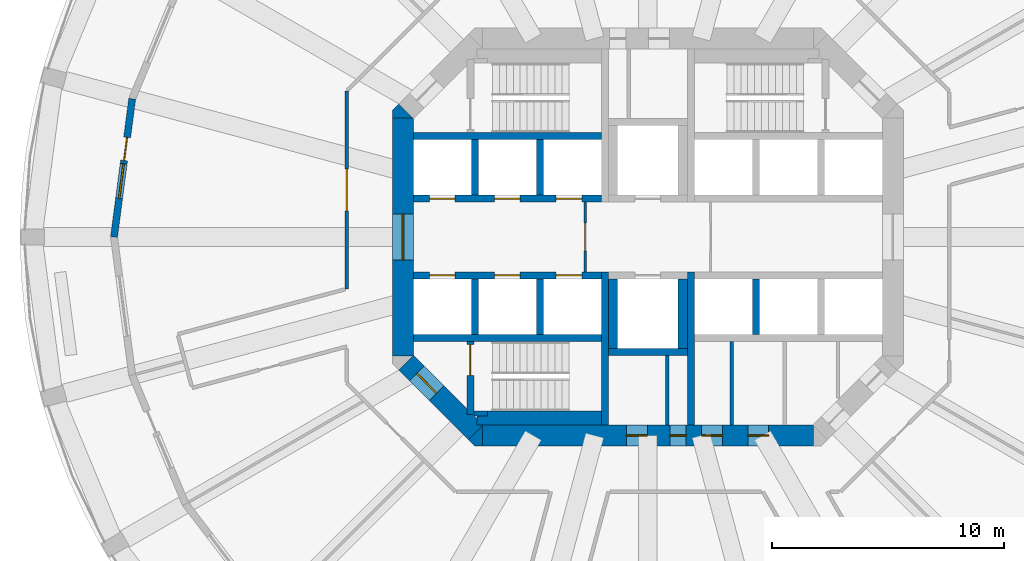
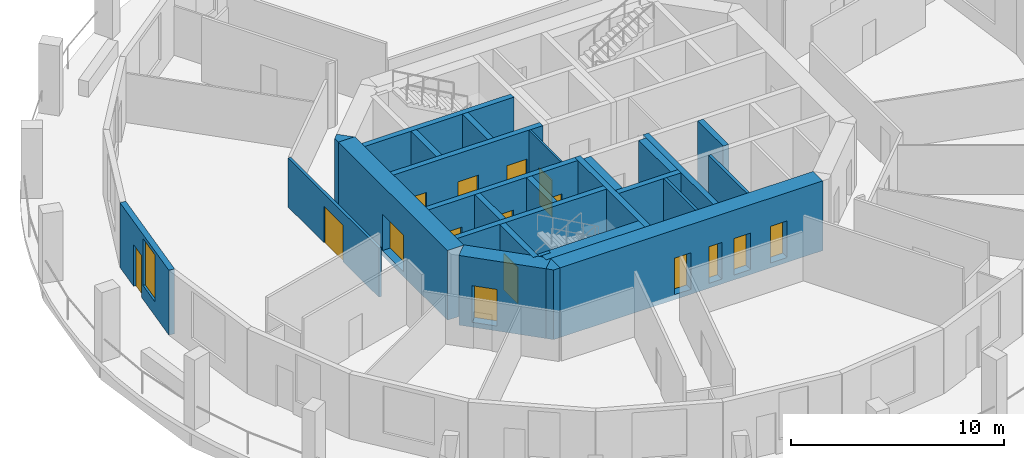
# One storey, part 3 of 9: 27 walls, 16 doors, 1 window, 17 openings.
"""IFC4 building model written with IfcOpenShell, lengths in metres."""

from ifc_helpers import new_model, si_unit, direction, frame, frame_2d, origin, place, context, subcontext, project, spatial, polyline, rectangle, outline, extrude, material, layer, layer_set, type_object, element, fill, save


model = new_model("IFC4")

# Units and contexts
model_context = context("Model", 3, precision=1e-05, world=origin(), true_north=direction((0.0, 1.0)))
body_context = subcontext(model_context, "Body", "Model", "MODEL_VIEW")
ifc_project = project(units=[si_unit("LENGTHUNIT", "METRE"), si_unit("AREAUNIT", "SQUARE_METRE"), si_unit("VOLUMEUNIT", "CUBIC_METRE"), si_unit("PLANEANGLEUNIT", "RADIAN"), si_unit("MASSUNIT", "GRAM", prefix="KILO")], contexts=[model_context])

# Site, building, storey
site_placement = place(None, origin())
site = spatial("IfcSite", under=ifc_project, at=site_placement, CompositionType="ELEMENT")
building_placement = place(site_placement, origin())
building = spatial("IfcBuilding", under=site, at=building_placement, Name="Torre Triforio", CompositionType="ELEMENT")
storey_placement = place(building_placement, frame((0.0, 0.0, 67.0)))
storey = spatial("IfcBuildingStorey", under=building, at=storey_placement, Name="L14", CompositionType="ELEMENT", Elevation=67.0)

# Walls
ifc_material_1 = material(Name="Concrete C60", Category="concrete")
ifc_layer_1 = layer(ifc_material_1, 0.300048828125)
ifc_layer_set_1 = layer_set([ifc_layer_1], Name="Concrete C60")
wall_type_1 = type_object("IfcWallType", Name="Core wall 300 mm C60 EI 120", PredefinedType="SHEAR", material=ifc_layer_set_1)
for number, where, z_axis, x_axis, name in (
    (1, (-1.85009765625, -8.10009765625, 0.0), (0.0, 0.0, 1.0), (0.0, 1.0, 0.0), "Core wall"),
    (2, (1.85009765625, -8.10009765625, 0.0), (0.0, 0.0, 1.0), (0.0, 1.0, 0.0), "Core wall"),
):
    element("IfcWall", number, at=place(storey_placement, frame(where, z_axis=z_axis, x_axis=x_axis)), inside=storey, type_object=wall_type_1, Name=name, PredefinedType="SHEAR", context=body_context, shape_type="SweptSolid", body=[
        extrude(rectangle(XDim=6.60009765625, YDim=0.300048828125, at=frame_2d((3.300048828125, 0.0))), origin(), (0.0, 0.0, 1.0), 3.719970703125),
    ])

# Wall, openings, doors
ifc_layer_2 = layer(ifc_material_1, 0.89990234375)
ifc_layer_set_2 = layer_set([ifc_layer_2], Name="Concrete C60")
wall_type_2 = type_object("IfcWallType", Name="Core wall 900 mm C60 EI 120", PredefinedType="SHEAR", material=ifc_layer_set_2)
wall_1_placement = place(storey_placement, frame((-7.1298828125, -8.550048828125, -0.280029296875), z_axis=(0.0, 0.0, 1.0), x_axis=(1.0, 0.0, 0.0)))
wall_1 = element("IfcWall", 3, at=wall_1_placement, inside=storey, type_object=wall_type_2, Name="Core wall", PredefinedType="SHEAR", context=body_context, shape_type="SweptSolid", body=[
    extrude(rectangle(XDim=14.259765625, YDim=0.89990234375, at=frame_2d((7.1298828125, 0.0))), origin(), (0.0, 0.0, 1.0), 4.0),
])
opening_1_placement = place(wall_1_placement, frame((8.080078125, 0.0, 0.280029296875)))
opening_1 = element("IfcOpeningElement", 4, at=opening_1_placement, cuts=wall_1, Name="Opening RISER-S", PredefinedType="OPENING", context=body_context, shape_type="SweptSolid", body=[
    extrude(rectangle(XDim=0.699951171875, YDim=2.10009765625, at=frame_2d((0.35009765625, 1.050048828125))), frame((0.0, 0.4599609375, 0.0), z_axis=(0.0, -1.0, 0.0), x_axis=(1.0, 0.0, 0.0)), (0.0, 0.0, 1.0), 0.919921875),
])
opening_2_placement = place(wall_1_placement, frame((6.205078125, 0.0, 0.280029296875)))
opening_2 = element("IfcOpeningElement", 5, at=opening_2_placement, cuts=wall_1, Name="Opening SW-01B", PredefinedType="OPENING", context=body_context, shape_type="SweptSolid", body=[
    extrude(rectangle(XDim=0.89990234375, YDim=2.10009765625, at=frame_2d((0.449951171875, 1.050048828125))), frame((0.0, 0.4599609375, 0.0), z_axis=(0.0, -1.0, 0.0), x_axis=(1.0, 0.0, 0.0)), (0.0, 0.0, 1.0), 0.919921875),
])
opening_3_placement = place(wall_1_placement, frame((9.445068359375, 0.0, 0.280029296875)))
opening_3 = element("IfcOpeningElement", 6, at=opening_3_placement, cuts=wall_1, Name="Opening SE-01A", PredefinedType="OPENING", context=body_context, shape_type="SweptSolid", body=[
    extrude(rectangle(XDim=0.89990234375, YDim=2.10009765625, at=frame_2d((0.449951171875, 1.050048828125))), frame((0.0, 0.4599609375, 0.0), z_axis=(0.0, -1.0, 0.0), x_axis=(1.0, 0.0, 0.0)), (0.0, 0.0, 1.0), 0.919921875),
])
opening_4_placement = place(wall_1_placement, frame((11.430908203125, 0.0, 0.280029296875)))
opening_4 = element("IfcOpeningElement", 7, at=opening_4_placement, cuts=wall_1, Name="Opening SE-02", PredefinedType="OPENING", context=body_context, shape_type="SweptSolid", body=[
    extrude(rectangle(XDim=0.89990234375, YDim=2.10009765625, at=frame_2d((0.449951171875, 1.050048828125))), frame((0.0, 0.4599609375, 0.0), z_axis=(0.0, -1.0, 0.0), x_axis=(1.0, 0.0, 0.0)), (0.0, 0.0, 1.0), 0.919921875),
])
ifc_material_2 = material(Name="Hollow metal fire door leaf")
door_type_1 = type_object("IfcDoorType", Name="Riser door 700 x 2100 EI 60", OperationType="NOTDEFINED", PredefinedType="DOOR", material=ifc_material_2)
door_1_placement = place(opening_1_placement, origin())
door_1 = element("IfcDoor", 8, at=door_1_placement, inside=storey, type_object=door_type_1, Name="Core door RISER-S", OperationType="SINGLE_SWING_RIGHT", OverallHeight=2.10009765625, OverallWidth=0.699951171875, PredefinedType="DOOR", context=body_context, shape_type="SweptSolid", body=[
    extrude(rectangle(XDim=0.699951171875, YDim=2.10009765625, at=frame_2d((0.35009765625, 1.050048828125))), frame((0.0, 0.02490234375, 0.0), z_axis=(0.0, -1.0, 0.0), x_axis=(1.0, 0.0, 0.0)), (0.0, 0.0, 1.0), 0.050048828125),
])
fill(opening_1, door_1)
door_type_2 = type_object("IfcDoorType", Name="Room door 900 x 2100 EI 60", OperationType="NOTDEFINED", PredefinedType="DOOR", material=ifc_material_2)
door_2_placement = place(opening_2_placement, origin())
door_2 = element("IfcDoor", 9, at=door_2_placement, inside=storey, type_object=door_type_2, Name="Core door SW-01", OperationType="SINGLE_SWING_LEFT", OverallHeight=2.10009765625, OverallWidth=0.89990234375, PredefinedType="DOOR", context=body_context, shape_type="SweptSolid", body=[
    extrude(rectangle(XDim=0.89990234375, YDim=2.10009765625, at=frame_2d((0.449951171875, 1.050048828125))), frame((0.0, 0.02490234375, 0.0), z_axis=(0.0, -1.0, 0.0), x_axis=(1.0, 0.0, 0.0)), (0.0, 0.0, 1.0), 0.050048828125),
])
fill(opening_2, door_2)
door_3_placement = place(opening_3_placement, origin())
door_3 = element("IfcDoor", 10, at=door_3_placement, inside=storey, type_object=door_type_2, Name="Core door SE-01", OperationType="SINGLE_SWING_RIGHT", OverallHeight=2.10009765625, OverallWidth=0.89990234375, PredefinedType="DOOR", context=body_context, shape_type="SweptSolid", body=[
    extrude(rectangle(XDim=0.89990234375, YDim=2.10009765625, at=frame_2d((0.449951171875, 1.050048828125))), frame((0.0, 0.02490234375, 0.0), z_axis=(0.0, -1.0, 0.0), x_axis=(1.0, 0.0, 0.0)), (0.0, 0.0, 1.0), 0.050048828125),
])
fill(opening_3, door_3)
door_4_placement = place(opening_4_placement, origin())
door_4 = element("IfcDoor", 11, at=door_4_placement, inside=storey, type_object=door_type_2, Name="Core door SE-02", OperationType="SINGLE_SWING_LEFT", OverallHeight=2.10009765625, OverallWidth=0.89990234375, PredefinedType="DOOR", context=body_context, shape_type="SweptSolid", body=[
    extrude(rectangle(XDim=0.89990234375, YDim=2.10009765625, at=frame_2d((0.449951171875, 1.050048828125))), frame((0.0, 0.02490234375, 0.0), z_axis=(0.0, -1.0, 0.0), x_axis=(1.0, 0.0, 0.0)), (0.0, 0.0, 1.0), 0.050048828125),
])
fill(opening_4, door_4)

# Wall, opening, door
wall_2_placement = place(storey_placement, frame((-10.550048828125, -5.1298828125, -0.280029296875), z_axis=(0.0, 0.0, 1.0), x_axis=(0.0, 1.0, 0.0)))
wall_2 = element("IfcWall", 12, at=wall_2_placement, inside=storey, type_object=wall_type_2, Name="Core wall", PredefinedType="SHEAR", context=body_context, shape_type="SweptSolid", body=[
    extrude(rectangle(XDim=10.259765625, YDim=0.89990234375, at=frame_2d((5.1298828125, 0.0))), origin(), (0.0, 0.0, 1.0), 4.0),
])
opening_5_placement = place(wall_2_placement, frame((4.1298828125, 0.0, 0.280029296875)))
opening_5 = element("IfcOpeningElement", 13, at=opening_5_placement, cuts=wall_2, Name="Opening W-RING", PredefinedType="OPENING", context=body_context, shape_type="SweptSolid", body=[
    extrude(rectangle(XDim=2.0, YDim=2.10009765625, at=frame_2d((1.0, 1.050048828125))), frame((0.0, 0.4599609375, 0.0), z_axis=(0.0, -1.0, 0.0), x_axis=(1.0, 0.0, 0.0)), (0.0, 0.0, 1.0), 0.919921875),
])
door_type_3 = type_object("IfcDoorType", Name="Lobby door 2000 x 2100 EI 60", OperationType="DOUBLE_DOOR_SINGLE_SWING", PredefinedType="DOOR", material=ifc_material_2)
door_5_placement = place(opening_5_placement, origin())
door_5 = element("IfcDoor", 14, at=door_5_placement, inside=storey, type_object=door_type_3, Name="Core door W-RING", OperationType="DOUBLE_DOOR_SINGLE_SWING", OverallHeight=2.10009765625, OverallWidth=2.0, PredefinedType="DOOR", context=body_context, shape_type="SweptSolid", body=[
    extrude(rectangle(XDim=2.0, YDim=2.10009765625, at=frame_2d((1.0, 1.050048828125))), frame((0.0, 0.02490234375, 0.0), z_axis=(0.0, -1.0, 0.0), x_axis=(1.0, 0.0, 0.0)), (0.0, 0.0, 1.0), 0.050048828125),
])
fill(opening_5, door_5)

wall_3_placement = place(storey_placement, frame((-7.418212890625, -8.418212890625, -0.280029296875), z_axis=(0.0, 0.0, 1.0), x_axis=(-0.707106781187, 0.707106781187, 0.0)))
wall_3 = element("IfcWall", 15, at=wall_3_placement, inside=storey, type_object=wall_type_2, Name="Core wall", PredefinedType="SHEAR", context=body_context, shape_type="SweptSolid", body=[
    extrude(rectangle(XDim=4.24267578125, YDim=0.89990234375, at=frame_2d((2.121337890625, 0.0))), origin(), (0.0, 0.0, 1.0), 4.0),
])
opening_6_placement = place(wall_3_placement, frame((2.392578125, 0.0, 0.280029296875)))
opening_6 = element("IfcOpeningElement", 16, at=opening_6_placement, cuts=wall_3, Name="Opening ST3-EXIT", PredefinedType="OPENING", context=body_context, shape_type="SweptSolid", body=[
    extrude(rectangle(XDim=1.199951171875, YDim=2.10009765625, at=frame_2d((0.60009765625, 1.050048828125))), frame((0.0, 0.4599609375, 0.0), z_axis=(0.0, -1.0, 0.0), x_axis=(1.0, 0.0, 0.0)), (0.0, 0.0, 1.0), 0.919921875),
])
door_type_4 = type_object("IfcDoorType", Name="Stair lobby door 1200 x 2100 EI 60", OperationType="NOTDEFINED", PredefinedType="DOOR", material=ifc_material_2)
door_6_placement = place(opening_6_placement, origin())
door_6 = element("IfcDoor", 17, at=door_6_placement, inside=storey, type_object=door_type_4, Name="Core door ST3-EXIT", OperationType="SINGLE_SWING_RIGHT", OverallHeight=2.10009765625, OverallWidth=1.199951171875, PredefinedType="DOOR", context=body_context, shape_type="SweptSolid", body=[
    extrude(rectangle(XDim=1.199951171875, YDim=2.10009765625, at=frame_2d((0.60009765625, 1.050048828125))), frame((0.0, 0.02490234375, 0.0), z_axis=(0.0, -1.0, 0.0), x_axis=(1.0, 0.0, 0.0)), (0.0, 0.0, 1.0), 0.050048828125),
])
fill(opening_6, door_6)

# Walls
wall_4_placement = place(storey_placement, frame((0.0, 0.0, -0.280029296875)))
element("IfcWall", 18, at=wall_4_placement, inside=storey, type_object=wall_type_2, Name="Core wall", PredefinedType="SHEAR", context=body_context, shape_type="SweptSolid", body=[
    extrude(outline(polyline([(-7.472900390625, -9.0), (-7.736328125, -8.736328125), (-7.1298828125, -8.1298828125), (-7.1298828125, -9.0), (-7.472900390625, -9.0)])), origin(), (0.0, 0.0, 1.0), 4.0),
])
wall_5_placement = place(storey_placement, frame((0.0, 0.0, -0.280029296875)))
element("IfcWall", 19, at=wall_5_placement, inside=storey, type_object=wall_type_2, Name="Core wall", PredefinedType="SHEAR", context=body_context, shape_type="SweptSolid", body=[
    extrude(outline(polyline([(-10.736328125, 5.736328125), (-10.1298828125, 5.1298828125), (-11.0, 5.1298828125), (-11.0, 5.472900390625), (-10.736328125, 5.736328125)])), origin(), (0.0, 0.0, 1.0), 4.0),
])

# Wall, opening, door
ifc_material_3 = material(Name="Plasterboard on metal studs")
ifc_layer_3 = layer(ifc_material_3, 0.14990234375)
ifc_layer_set_3 = layer_set([ifc_layer_3], Name="Plasterboard on metal studs")
wall_type_3 = type_object("IfcWallType", Name="Corridor and tenancy wall 150 mm EI 60", PredefinedType="PARTITIONING", material=ifc_layer_set_3)
wall_6_placement = place(storey_placement, frame((-12.97509765625, -2.234375, 0.0), z_axis=(0.0, 0.0, 1.0), x_axis=(0.0, 1.0, 0.0)))
wall_6 = element("IfcWall", 20, at=wall_6_placement, inside=storey, type_object=wall_type_3, Name="Partition 3", PredefinedType="PARTITIONING", context=body_context, shape_type="SweptSolid", body=[
    extrude(rectangle(XDim=8.525390625, YDim=0.14990234375, at=frame_2d((4.2626953125, 0.0))), origin(), (0.0, 0.0, 1.0), 2.820068359375),
])
opening_7_placement = place(wall_6_placement, frame((3.362548828125, 0.0, 0.0)))
opening_7 = element("IfcOpeningElement", 21, at=opening_7_placement, cuts=wall_6, Name="Opening N4-01", PredefinedType="OPENING", context=body_context, shape_type="SweptSolid", body=[
    extrude(rectangle(XDim=1.800048828125, YDim=2.10009765625, at=frame_2d((0.89990234375, 1.050048828125))), frame((0.0, 0.0849609375, 0.0), z_axis=(0.0, -1.0, 0.0), x_axis=(1.0, 0.0, 0.0)), (0.0, 0.0, 1.0), 0.169921875),
])
ifc_material_4 = material(Name="Timber", Category="wood")
door_type_5 = type_object("IfcDoorType", Name="Door 1800 x 2100 double leaf EI 30", OperationType="DOUBLE_DOOR_SINGLE_SWING", PredefinedType="DOOR", material=ifc_material_4)
door_7_placement = place(opening_7_placement, origin())
door_7 = element("IfcDoor", 22, at=door_7_placement, inside=storey, type_object=door_type_5, Name="Door N4-01", OperationType="DOUBLE_DOOR_SINGLE_SWING", OverallHeight=2.10009765625, OverallWidth=1.800048828125, PredefinedType="DOOR", context=body_context, shape_type="SweptSolid", body=[
    extrude(rectangle(XDim=1.800048828125, YDim=2.10009765625, at=frame_2d((0.89990234375, 1.050048828125))), frame((0.0, 0.02490234375, 0.0), z_axis=(0.0, -1.0, 0.0), x_axis=(1.0, 0.0, 0.0)), (0.0, 0.0, 1.0), 0.050048828125),
])
fill(opening_7, door_7)

ifc_material_5 = material(Name="Block and board partition")
ifc_layer_4 = layer(ifc_material_5, 0.10009765625)
ifc_layer_set_4 = layer_set([ifc_layer_4], Name="Block and board partition")
wall_type_4 = type_object("IfcWallType", Name="Partition 100 mm EI 120", PredefinedType="PARTITIONING", material=ifc_layer_set_4)
wall_7_placement = place(storey_placement, frame((-2.699951171875, -1.5, 0.0), z_axis=(0.0, 0.0, 1.0), x_axis=(0.0, 1.0, 0.0)))
wall_7 = element("IfcWall", 23, at=wall_7_placement, inside=storey, type_object=wall_type_4, Name="Partition", PredefinedType="PARTITIONING", context=body_context, shape_type="SweptSolid", body=[
    extrude(rectangle(XDim=3.0, YDim=0.10009765625, at=frame_2d((1.5, 0.0))), origin(), (0.0, 0.0, 1.0), 3.719970703125),
])
opening_8_placement = place(wall_7_placement, frame((0.89990234375, 0.0, 0.0)))
opening_8 = element("IfcOpeningElement", 24, at=opening_8_placement, cuts=wall_7, Name="Opening FF-W", PredefinedType="OPENING", context=body_context, shape_type="SweptSolid", body=[
    extrude(rectangle(XDim=1.199951171875, YDim=2.10009765625, at=frame_2d((0.60009765625, 1.050048828125))), frame((0.0, 0.06005859375, 0.0), z_axis=(0.0, -1.0, 0.0), x_axis=(1.0, 0.0, 0.0)), (0.0, 0.0, 1.0), 0.1201171875),
])
door_type_6 = type_object("IfcDoorType", Name="Fire-fighting lobby door 1200 x 2100 EI 60", OperationType="NOTDEFINED", PredefinedType="DOOR", material=ifc_material_2)
door_8_placement = place(opening_8_placement, origin())
door_8 = element("IfcDoor", 25, at=door_8_placement, inside=storey, type_object=door_type_6, Name="Core door FF-W", OperationType="SINGLE_SWING_RIGHT", OverallHeight=2.10009765625, OverallWidth=1.199951171875, PredefinedType="DOOR", context=body_context, shape_type="SweptSolid", body=[
    extrude(rectangle(XDim=1.199951171875, YDim=2.10009765625, at=frame_2d((0.60009765625, 1.050048828125))), frame((0.0, 0.02490234375, 0.0), z_axis=(0.0, -1.0, 0.0), x_axis=(1.0, 0.0, 0.0)), (0.0, 0.0, 1.0), 0.050048828125),
])
fill(opening_8, door_8)

# Walls
ifc_layer_5 = layer(ifc_material_5, 0.14990234375)
ifc_layer_set_5 = layer_set([ifc_layer_5], Name="Block and board partition")
wall_type_5 = type_object("IfcWallType", Name="Partition 150 mm", PredefinedType="PARTITIONING", material=ifc_layer_set_5)
wall_8_placement = place(storey_placement, frame((3.60498046875, -8.10009765625, 0.0), z_axis=(0.0, 0.0, 1.0), x_axis=(0.0, 1.0, 0.0)))
element("IfcWall", 26, at=wall_8_placement, inside=storey, type_object=wall_type_5, Name="Partition", PredefinedType="PARTITIONING", context=body_context, shape_type="SweptSolid", body=[
    extrude(rectangle(XDim=3.60009765625, YDim=0.14990234375, at=frame_2d((1.800048828125, 0.0))), origin(), (0.0, 0.0, 1.0), 3.719970703125),
])
ifc_layer_6 = layer(ifc_material_5, 0.14990234375)
ifc_layer_set_6 = layer_set([ifc_layer_6], Name="Block and board partition")
wall_type_6 = type_object("IfcWallType", Name="Partition 150 mm EI 120", PredefinedType="PARTITIONING", material=ifc_layer_set_6)
wall_9_placement = place(storey_placement, frame((0.824951171875, -8.10009765625, 0.0), z_axis=(0.0, 0.0, 1.0), x_axis=(0.0, 1.0, 0.0)))
element("IfcWall", 27, at=wall_9_placement, inside=storey, type_object=wall_type_6, Name="Partition", PredefinedType="PARTITIONING", context=body_context, shape_type="SweptSolid", body=[
    extrude(rectangle(XDim=3.0, YDim=0.14990234375, at=frame_2d((1.5, 0.0))), origin(), (0.0, 0.0, 1.0), 3.719970703125),
])
ifc_layer_7 = layer(ifc_material_1, 0.300048828125)
ifc_layer_set_7 = layer_set([ifc_layer_7], Name="Concrete C60")
wall_type_7 = type_object("IfcWallType", Name="Shaft wall 300 mm C60 EI 120", PredefinedType="SOLIDWALL", material=ifc_layer_set_7)
for number, where, z_axis, x_axis, name in (
    (28, (-10.10009765625, 4.35009765625, 0.0), (0.0, 0.0, 1.0), (1.0, 0.0, 0.0), "Shaft wall"),
    (29, (-10.10009765625, -4.35009765625, 0.0), (0.0, 0.0, 1.0), (1.0, 0.0, 0.0), "Shaft wall"),
):
    element("IfcWall", number, at=place(storey_placement, frame(where, z_axis=z_axis, x_axis=x_axis)), inside=storey, type_object=wall_type_7, Name=name, PredefinedType="SOLIDWALL", context=body_context, shape_type="SweptSolid", body=[
        extrude(rectangle(XDim=8.10009765625, YDim=0.300048828125, at=frame_2d((4.050048828125, 0.0))), origin(), (0.0, 0.0, 1.0), 3.719970703125),
    ])

# Wall, openings, doors
wall_10_placement = place(storey_placement, frame((-10.10009765625, 1.64990234375, 0.0), z_axis=(0.0, 0.0, 1.0), x_axis=(1.0, 0.0, 0.0)))
wall_10 = element("IfcWall", 30, at=wall_10_placement, inside=storey, type_object=wall_type_7, Name="Shaft wall", PredefinedType="SOLIDWALL", context=body_context, shape_type="SweptSolid", body=[
    extrude(rectangle(XDim=8.10009765625, YDim=0.300048828125, at=frame_2d((4.050048828125, 0.0))), origin(), (0.0, 0.0, 1.0), 3.719970703125),
])
opening_9_placement = place(wall_10_placement, frame((0.699951171875, 0.0, 0.0)))
opening_9 = element("IfcOpeningElement", 31, at=opening_9_placement, cuts=wall_10, Name="Opening LD", PredefinedType="OPENING", context=body_context, shape_type="SweptSolid", body=[
    extrude(rectangle(XDim=1.10009765625, YDim=2.10009765625, at=frame_2d((0.550048828125, 1.050048828125))), frame((0.0, 0.159912109375, 0.0), z_axis=(0.0, -1.0, 0.0), x_axis=(1.0, 0.0, 0.0)), (0.0, 0.0, 1.0), 0.320068359375),
])
opening_10_placement = place(wall_10_placement, frame((3.5, 0.0, 0.0)))
opening_10 = element("IfcOpeningElement", 32, at=opening_10_placement, cuts=wall_10, Name="Opening LD", PredefinedType="OPENING", context=body_context, shape_type="SweptSolid", body=[
    extrude(rectangle(XDim=1.10009765625, YDim=2.10009765625, at=frame_2d((0.550048828125, 1.050048828125))), frame((0.0, 0.159912109375, 0.0), z_axis=(0.0, -1.0, 0.0), x_axis=(1.0, 0.0, 0.0)), (0.0, 0.0, 1.0), 0.320068359375),
])
opening_11_placement = place(wall_10_placement, frame((6.14990234375, 0.0, 0.0)))
opening_11 = element("IfcOpeningElement", 33, at=opening_11_placement, cuts=wall_10, Name="Opening LD", PredefinedType="OPENING", context=body_context, shape_type="SweptSolid", body=[
    extrude(rectangle(XDim=1.10009765625, YDim=2.10009765625, at=frame_2d((0.550048828125, 1.050048828125))), frame((0.0, 0.159912109375, 0.0), z_axis=(0.0, -1.0, 0.0), x_axis=(1.0, 0.0, 0.0)), (0.0, 0.0, 1.0), 0.320068359375),
])
door_type_7 = type_object("IfcDoorType", Name="Landing door 1100 x 2100 EI 60", OperationType="DOUBLE_DOOR_SLIDING", PredefinedType="DOOR", material=ifc_material_2)
door_9_placement = place(opening_9_placement, origin())
door_9 = element("IfcDoor", 34, at=door_9_placement, inside=storey, type_object=door_type_7, Name="Landing door LR1", OperationType="DOUBLE_DOOR_SLIDING", OverallHeight=2.10009765625, OverallWidth=1.10009765625, PredefinedType="DOOR", context=body_context, shape_type="SweptSolid", body=[
    extrude(rectangle(XDim=1.10009765625, YDim=2.10009765625, at=frame_2d((0.550048828125, 1.050048828125))), frame((0.0, 0.02490234375, 0.0), z_axis=(0.0, -1.0, 0.0), x_axis=(1.0, 0.0, 0.0)), (0.0, 0.0, 1.0), 0.050048828125),
])
fill(opening_9, door_9)
door_10_placement = place(opening_10_placement, origin())
door_10 = element("IfcDoor", 35, at=door_10_placement, inside=storey, type_object=door_type_7, Name="Landing door LR2", OperationType="DOUBLE_DOOR_SLIDING", OverallHeight=2.10009765625, OverallWidth=1.10009765625, PredefinedType="DOOR", context=body_context, shape_type="SweptSolid", body=[
    extrude(rectangle(XDim=1.10009765625, YDim=2.10009765625, at=frame_2d((0.550048828125, 1.050048828125))), frame((0.0, 0.02490234375, 0.0), z_axis=(0.0, -1.0, 0.0), x_axis=(1.0, 0.0, 0.0)), (0.0, 0.0, 1.0), 0.050048828125),
])
fill(opening_10, door_10)
door_11_placement = place(opening_11_placement, origin())
door_11 = element("IfcDoor", 36, at=door_11_placement, inside=storey, type_object=door_type_7, Name="Landing door LR3", OperationType="DOUBLE_DOOR_SLIDING", OverallHeight=2.10009765625, OverallWidth=1.10009765625, PredefinedType="DOOR", context=body_context, shape_type="SweptSolid", body=[
    extrude(rectangle(XDim=1.10009765625, YDim=2.10009765625, at=frame_2d((0.550048828125, 1.050048828125))), frame((0.0, 0.02490234375, 0.0), z_axis=(0.0, -1.0, 0.0), x_axis=(1.0, 0.0, 0.0)), (0.0, 0.0, 1.0), 0.050048828125),
])
fill(opening_11, door_11)

wall_11_placement = place(storey_placement, frame((-10.10009765625, -1.64990234375, 0.0), z_axis=(0.0, 0.0, 1.0), x_axis=(1.0, 0.0, 0.0)))
wall_11 = element("IfcWall", 37, at=wall_11_placement, inside=storey, type_object=wall_type_7, Name="Shaft wall", PredefinedType="SOLIDWALL", context=body_context, shape_type="SweptSolid", body=[
    extrude(rectangle(XDim=8.10009765625, YDim=0.300048828125, at=frame_2d((4.050048828125, 0.0))), origin(), (0.0, 0.0, 1.0), 3.719970703125),
])
opening_12_placement = place(wall_11_placement, frame((0.699951171875, 0.0, 0.0)))
opening_12 = element("IfcOpeningElement", 38, at=opening_12_placement, cuts=wall_11, Name="Opening LD", PredefinedType="OPENING", context=body_context, shape_type="SweptSolid", body=[
    extrude(rectangle(XDim=1.10009765625, YDim=2.10009765625, at=frame_2d((0.550048828125, 1.050048828125))), frame((0.0, 0.159912109375, 0.0), z_axis=(0.0, -1.0, 0.0), x_axis=(1.0, 0.0, 0.0)), (0.0, 0.0, 1.0), 0.320068359375),
])
opening_13_placement = place(wall_11_placement, frame((3.5, 0.0, 0.0)))
opening_13 = element("IfcOpeningElement", 39, at=opening_13_placement, cuts=wall_11, Name="Opening LD", PredefinedType="OPENING", context=body_context, shape_type="SweptSolid", body=[
    extrude(rectangle(XDim=1.10009765625, YDim=2.10009765625, at=frame_2d((0.550048828125, 1.050048828125))), frame((0.0, 0.159912109375, 0.0), z_axis=(0.0, -1.0, 0.0), x_axis=(1.0, 0.0, 0.0)), (0.0, 0.0, 1.0), 0.320068359375),
])
opening_14_placement = place(wall_11_placement, frame((6.14990234375, 0.0, 0.0)))
opening_14 = element("IfcOpeningElement", 40, at=opening_14_placement, cuts=wall_11, Name="Opening LD", PredefinedType="OPENING", context=body_context, shape_type="SweptSolid", body=[
    extrude(rectangle(XDim=1.10009765625, YDim=2.10009765625, at=frame_2d((0.550048828125, 1.050048828125))), frame((0.0, 0.159912109375, 0.0), z_axis=(0.0, -1.0, 0.0), x_axis=(1.0, 0.0, 0.0)), (0.0, 0.0, 1.0), 0.320068359375),
])
door_12_placement = place(opening_12_placement, origin())
door_12 = element("IfcDoor", 41, at=door_12_placement, inside=storey, type_object=door_type_7, Name="Landing door LR4", OperationType="DOUBLE_DOOR_SLIDING", OverallHeight=2.10009765625, OverallWidth=1.10009765625, PredefinedType="DOOR", context=body_context, shape_type="SweptSolid", body=[
    extrude(rectangle(XDim=1.10009765625, YDim=2.10009765625, at=frame_2d((0.550048828125, 1.050048828125))), frame((0.0, 0.02490234375, 0.0), z_axis=(0.0, -1.0, 0.0), x_axis=(1.0, 0.0, 0.0)), (0.0, 0.0, 1.0), 0.050048828125),
])
fill(opening_12, door_12)
door_13_placement = place(opening_13_placement, origin())
door_13 = element("IfcDoor", 42, at=door_13_placement, inside=storey, type_object=door_type_7, Name="Landing door LR5", OperationType="DOUBLE_DOOR_SLIDING", OverallHeight=2.10009765625, OverallWidth=1.10009765625, PredefinedType="DOOR", context=body_context, shape_type="SweptSolid", body=[
    extrude(rectangle(XDim=1.10009765625, YDim=2.10009765625, at=frame_2d((0.550048828125, 1.050048828125))), frame((0.0, 0.02490234375, 0.0), z_axis=(0.0, -1.0, 0.0), x_axis=(1.0, 0.0, 0.0)), (0.0, 0.0, 1.0), 0.050048828125),
])
fill(opening_13, door_13)
door_14_placement = place(opening_14_placement, origin())
door_14 = element("IfcDoor", 43, at=door_14_placement, inside=storey, type_object=door_type_7, Name="Landing door LR6", OperationType="DOUBLE_DOOR_SLIDING", OverallHeight=2.10009765625, OverallWidth=1.10009765625, PredefinedType="DOOR", context=body_context, shape_type="SweptSolid", body=[
    extrude(rectangle(XDim=1.10009765625, YDim=2.10009765625, at=frame_2d((0.550048828125, 1.050048828125))), frame((0.0, 0.02490234375, 0.0), z_axis=(0.0, -1.0, 0.0), x_axis=(1.0, 0.0, 0.0)), (0.0, 0.0, 1.0), 0.050048828125),
])
fill(opening_14, door_14)

# Walls
for number, where, z_axis, x_axis, name in (
    (44, (-7.449951171875, 1.800048828125, 0.0), (0.0, 0.0, 1.0), (0.0, 1.0, 0.0), "Shaft wall"),
    (45, (-7.449951171875, -4.199951171875, 0.0), (0.0, 0.0, 1.0), (0.0, 1.0, 0.0), "Shaft wall"),
    (46, (-4.64990234375, 1.800048828125, 0.0), (0.0, 0.0, 1.0), (0.0, 1.0, 0.0), "Shaft wall"),
    (47, (-4.64990234375, -4.199951171875, 0.0), (0.0, 0.0, 1.0), (0.0, 1.0, 0.0), "Shaft wall"),
    (48, (4.64990234375, -4.199951171875, 0.0), (0.0, 0.0, 1.0), (0.0, 1.0, 0.0), "Shaft wall"),
):
    element("IfcWall", number, at=place(storey_placement, frame(where, z_axis=z_axis, x_axis=x_axis)), inside=storey, type_object=wall_type_7, Name=name, PredefinedType="SOLIDWALL", context=body_context, shape_type="SweptSolid", body=[
        extrude(rectangle(XDim=2.39990234375, YDim=0.300048828125, at=frame_2d((1.199951171875, 0.0))), origin(), (0.0, 0.0, 1.0), 3.719970703125),
    ])
wall_12_placement = place(storey_placement, frame((-1.699951171875, -4.949951171875, 0.0), z_axis=(0.0, 0.0, 1.0), x_axis=(1.0, 0.0, 0.0)))
element("IfcWall", 49, at=wall_12_placement, inside=storey, type_object=wall_type_7, Name="Shaft wall", PredefinedType="SOLIDWALL", context=body_context, shape_type="SweptSolid", body=[
    extrude(rectangle(XDim=3.39990234375, YDim=0.300048828125, at=frame_2d((1.699951171875, 0.0))), origin(), (0.0, 0.0, 1.0), 3.719970703125),
])
ifc_layer_8 = layer(ifc_material_1, 0.39990234375)
ifc_layer_set_8 = layer_set([ifc_layer_8], Name="Concrete C60")
wall_type_8 = type_object("IfcWallType", Name="Shaft wall 400 mm C60 EI 120", PredefinedType="SOLIDWALL", material=ifc_layer_set_8)
for number, where, z_axis, x_axis, name in (
    (50, (-1.5, -4.800048828125, 0.0), (0.0, 0.0, 1.0), (0.0, 1.0, 0.0), "Shaft wall"),
    (51, (1.5, -4.800048828125, 0.0), (0.0, 0.0, 1.0), (0.0, 1.0, 0.0), "Shaft wall"),
):
    element("IfcWall", number, at=place(storey_placement, frame(where, z_axis=z_axis, x_axis=x_axis)), inside=storey, type_object=wall_type_8, Name=name, PredefinedType="SOLIDWALL", context=body_context, shape_type="SweptSolid", body=[
        extrude(rectangle(XDim=3.0, YDim=0.39990234375, at=frame_2d((1.5, 0.0))), origin(), (0.0, 0.0, 1.0), 3.719970703125),
    ])
ifc_layer_9 = layer(ifc_material_1, 0.199951171875)
ifc_layer_set_9 = layer_set([ifc_layer_9], Name="Concrete C60")
wall_type_9 = type_object("IfcWallType", Name="Stair wall 200 mm C60 EI 120", PredefinedType="SHEAR", material=ifc_layer_set_9)
wall_13_placement = place(storey_placement, frame((-7.5, -7.60009765625, 0.0), z_axis=(0.0, 0.0, 1.0), x_axis=(1.0, 0.0, 0.0)))
element("IfcWall", 52, at=wall_13_placement, inside=storey, type_object=wall_type_9, Name="Stair wall", PredefinedType="SHEAR", context=body_context, shape_type="SweptSolid", body=[
    extrude(rectangle(XDim=0.60009765625, YDim=0.199951171875, at=frame_2d((0.300048828125, 0.0))), origin(), (0.0, 0.0, 1.0), 3.719970703125),
])

# Wall, opening, door
ifc_layer_10 = layer(ifc_material_1, 0.300048828125)
ifc_layer_set_10 = layer_set([ifc_layer_10], Name="Concrete C60")
wall_type_10 = type_object("IfcWallType", Name="Stair wall 300 mm C60 EI 120", PredefinedType="SHEAR", material=ifc_layer_set_10)
wall_14_placement = place(storey_placement, frame((-7.64990234375, -7.639892578125, 0.0), z_axis=(0.0, 0.0, 1.0), x_axis=(0.0, 1.0, 0.0)))
wall_14 = element("IfcWall", 53, at=wall_14_placement, inside=storey, type_object=wall_type_10, Name="Stair wall", PredefinedType="SHEAR", context=body_context, shape_type="SweptSolid", body=[
    extrude(rectangle(XDim=3.139892578125, YDim=0.300048828125, at=frame_2d((1.56982421875, 0.0))), origin(), (0.0, 0.0, 1.0), 3.719970703125),
])
opening_15_placement = place(wall_14_placement, frame((1.679931640625, 0.0, 0.0)))
opening_15 = element("IfcOpeningElement", 54, at=opening_15_placement, cuts=wall_14, Name="Opening ST3-STA", PredefinedType="OPENING", context=body_context, shape_type="SweptSolid", body=[
    extrude(rectangle(XDim=1.320068359375, YDim=2.10009765625, at=frame_2d((0.66015625, 1.050048828125))), frame((0.0, 0.159912109375, 0.0), z_axis=(0.0, -1.0, 0.0), x_axis=(1.0, 0.0, 0.0)), (0.0, 0.0, 1.0), 0.320068359375),
])
door_type_8 = type_object("IfcDoorType", Name="Stair door 1320 x 2100 EI 90", OperationType="DOUBLE_DOOR_SINGLE_SWING", PredefinedType="DOOR", material=ifc_material_2)
door_15_placement = place(opening_15_placement, origin())
door_15 = element("IfcDoor", 55, at=door_15_placement, inside=storey, type_object=door_type_8, Name="Core door ST3-ST", OperationType="DOUBLE_DOOR_SINGLE_SWING", OverallHeight=2.10009765625, OverallWidth=1.320068359375, PredefinedType="DOOR", context=body_context, shape_type="SweptSolid", body=[
    extrude(rectangle(XDim=1.320068359375, YDim=2.10009765625, at=frame_2d((0.66015625, 1.050048828125))), frame((0.0, 0.02490234375, 0.0), z_axis=(0.0, -1.0, 0.0), x_axis=(1.0, 0.0, 0.0)), (0.0, 0.0, 1.0), 0.050048828125),
])
fill(opening_15, door_15)

# Wall
ifc_layer_11 = layer(ifc_material_1, 0.60009765625)
ifc_layer_set_11 = layer_set([ifc_layer_11], Name="Concrete C60")
wall_type_11 = type_object("IfcWallType", Name="Stair wall 600 mm C60 EI 120", PredefinedType="SHEAR", material=ifc_layer_set_11)
wall_15_placement = place(storey_placement, frame((-7.3701171875, -7.800048828125, 0.0), z_axis=(0.0, 0.0, 1.0), x_axis=(1.0, 0.0, 0.0)))
element("IfcWall", 56, at=wall_15_placement, inside=storey, type_object=wall_type_11, Name="Stair wall", PredefinedType="SHEAR", context=body_context, shape_type="SweptSolid", body=[
    extrude(rectangle(XDim=5.3701171875, YDim=0.60009765625, at=frame_2d((2.68505859375, 0.0))), origin(), (0.0, 0.0, 1.0), 3.719970703125),
])

# Wall, openings, door, window
ifc_material_6 = material(Name="Limestone cladding", Category="masonry")
ifc_layer_12 = layer(ifc_material_6, 0.10009765625)
ifc_material_7 = material(Name="Concrete C40", Category="concrete")
ifc_layer_13 = layer(ifc_material_7, 0.199951171875)
ifc_layer_set_12 = layer_set([ifc_layer_12, ifc_layer_13], Name="Limestone cladding / Concrete C40")
wall_type_12 = type_object("IfcWallType", Name="Stone-faced composite wall 300", PredefinedType="STANDARD", material=ifc_layer_set_12)
wall_16_placement = place(storey_placement, frame((-22.21630859375, 5.952880859375, 0.0), z_axis=(0.0, 0.0, 1.0), x_axis=(-0.130522880875, -0.991445297315, 0.0)))
wall_16 = element("IfcWall", 57, at=wall_16_placement, inside=storey, type_object=wall_type_12, Name="External wall L14 bay 12", PredefinedType="STANDARD", context=body_context, shape_type="SweptSolid", body=[
    extrude(rectangle(XDim=6.004150390625, YDim=0.300048828125, at=frame_2d((3.001953125, 0.0))), origin(), (0.0, 0.0, 1.0), 3.719970703125),
])
opening_16_placement = place(wall_16_placement, frame((1.677001953125, 0.0, 0.0)))
opening_16 = element("IfcOpeningElement", 58, at=opening_16_placement, cuts=wall_16, Name="Opening N4-D12", PredefinedType="OPENING", context=body_context, shape_type="SweptSolid", body=[
    extrude(rectangle(XDim=1.0, YDim=2.39990234375, at=frame_2d((0.5, 1.199951171875))), frame((0.0, 0.159912109375, 0.0), z_axis=(0.0, -1.0, 0.0), x_axis=(1.0, 0.0, 0.0)), (0.0, 0.0, 1.0), 0.320068359375),
])
opening_17_placement = place(wall_16_placement, frame((2.8271484375, 0.0, 0.800048828125)))
opening_17 = element("IfcOpeningElement", 59, at=opening_17_placement, cuts=wall_16, Name="Opening N4-W12A", PredefinedType="OPENING", context=body_context, shape_type="SweptSolid", body=[
    extrude(rectangle(XDim=1.5, YDim=2.699951171875, at=frame_2d((0.75, 1.35009765625))), frame((0.0, 0.159912109375, 0.0), z_axis=(0.0, -1.0, 0.0), x_axis=(1.0, 0.0, 0.0)), (0.0, 0.0, 1.0), 0.320068359375),
])
ifc_material_8 = material(Name="Aluminium frame with clear double glazing", Category="aluminium")
door_type_9 = type_object("IfcDoorType", Name="Loggia door 1000 x 2400", OperationType="NOTDEFINED", PredefinedType="DOOR", material=ifc_material_8)
door_16_placement = place(opening_16_placement, origin())
door_16 = element("IfcDoor", 60, at=door_16_placement, inside=storey, type_object=door_type_9, Name="Loggia door L14 bay 12", OperationType="SINGLE_SWING_LEFT", OverallHeight=2.39990234375, OverallWidth=1.0, PredefinedType="DOOR", context=body_context, shape_type="SweptSolid", body=[
    extrude(rectangle(XDim=1.0, YDim=2.39990234375, at=frame_2d((0.5, 1.199951171875))), frame((0.0, 0.02490234375, 0.0), z_axis=(0.0, -1.0, 0.0), x_axis=(1.0, 0.0, 0.0)), (0.0, 0.0, 1.0), 0.050048828125),
])
fill(opening_16, door_16)
window_type = type_object("IfcWindowType", Name="Side window 1500 x 2700", PartitioningType="SINGLE_PANEL", PredefinedType="WINDOW", material=ifc_material_8)
window_placement = place(opening_17_placement, origin())
window = element("IfcWindow", 61, at=window_placement, inside=storey, type_object=window_type, Name="Side window EWN12 L14 bay 12", OverallHeight=2.699951171875, OverallWidth=1.5, PartitioningType="SINGLE_PANEL", PredefinedType="WINDOW", context=body_context, shape_type="SweptSolid", body=[
    extrude(rectangle(XDim=1.5, YDim=2.699951171875, at=frame_2d((0.75, 1.35009765625))), frame((0.0, 0.030029296875, 0.0), z_axis=(0.0, -1.0, 0.0), x_axis=(1.0, 0.0, 0.0)), (0.0, 0.0, 1.0), 0.06005859375),
])
fill(opening_17, window)

save(model, "model.ifc")
